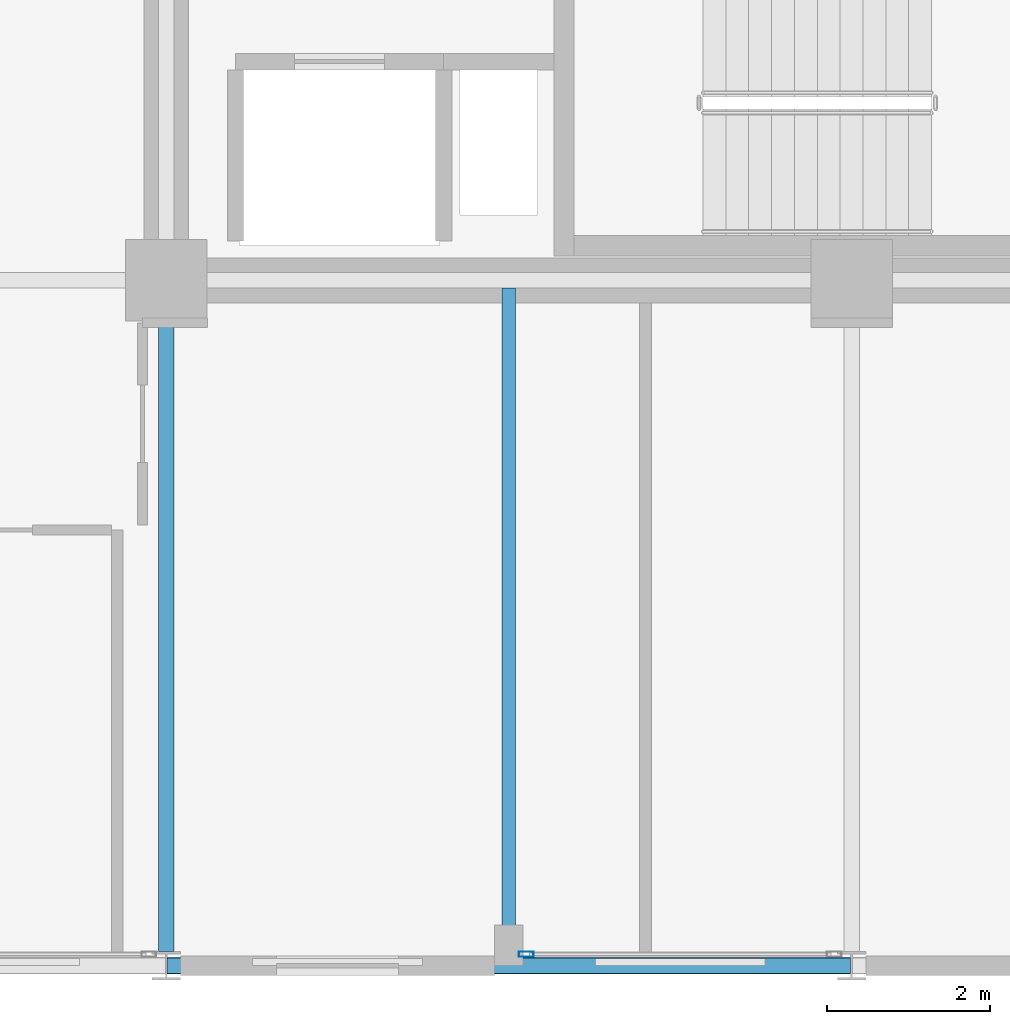
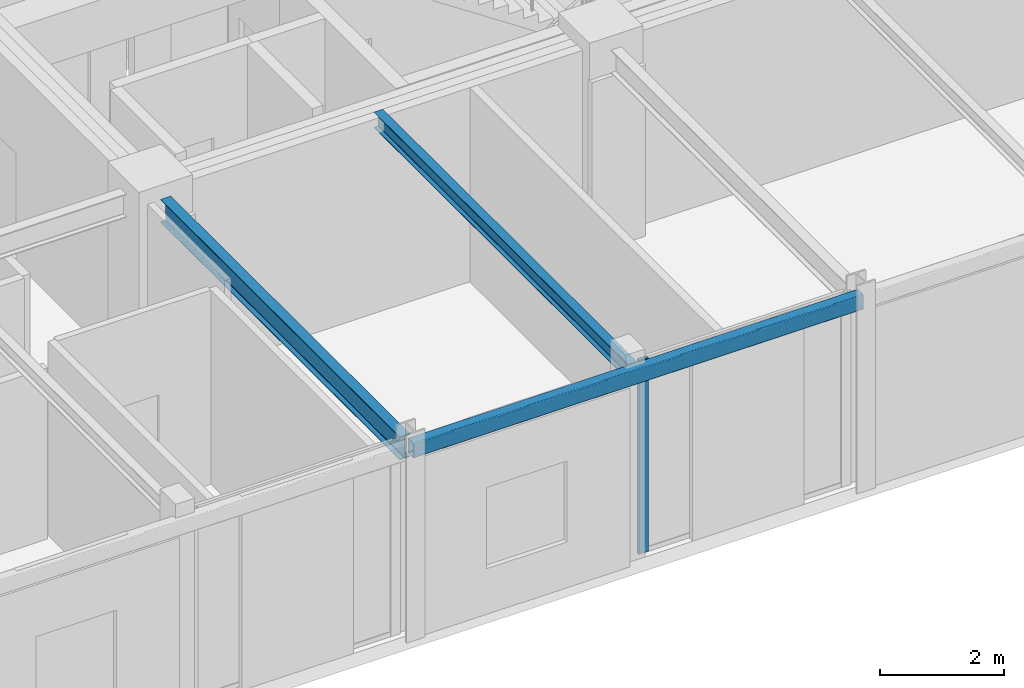
# One storey, part 7 of 29: 3 beams, 1 member, 1 element without a shape of its own.
"""IFC4 building model written with IfcOpenShell, lengths in metres."""

from ifc_helpers import new_model, si_unit, direction, frame, origin, origin_2d, place, context, subcontext, project, spatial, hollow_rectangle, i_section, extrude, material, layer, layer_set, material_profile, profile_set, type_object, element, aggregate, save


model = new_model("IFC4")

# Units and contexts
model_context = context("Model", 3, precision=1e-05, world=origin(), true_north=direction((0.0, 1.0)))
body_context = subcontext(model_context, "Body", "Model", "MODEL_VIEW")
ifc_project = project(units=[si_unit("LENGTHUNIT", "METRE"), si_unit("AREAUNIT", "SQUARE_METRE"), si_unit("VOLUMEUNIT", "CUBIC_METRE"), si_unit("PLANEANGLEUNIT", "RADIAN"), si_unit("MASSUNIT", "GRAM", prefix="KILO")], contexts=[model_context])

# Site, building, storey
site_placement = place(None, origin())
site = spatial("IfcSite", under=ifc_project, at=site_placement, CompositionType="ELEMENT")
building_placement = place(site_placement, origin())
building = spatial("IfcBuilding", under=site, at=building_placement, Name="Nerrivon Quay Data Exchange", CompositionType="ELEMENT")
storey_placement = place(building_placement, frame((0.0, 0.0, 208.300048828125)))
storey = spatial("IfcBuildingStorey", under=building, at=storey_placement, Name="L49", CompositionType="ELEMENT", Elevation=208.300048828125)

# Beams
ifc_material_1 = material(Name="Steel Grade 350", Category="steel")
ifc_material_profile_1 = material_profile(ifc_material_1, i_section(OverallWidth=0.18994140625, OverallDepth=0.4541015625, WebThickness=0.008544921875, FlangeThickness=0.0126953125, FilletRadius=0.011474609375, at=origin_2d()), Name="460UB67.1")
ifc_profile_set_1 = profile_set([ifc_material_profile_1], Name="Steel Grade 350")
beam_type_1 = type_object("IfcBeamType", Name="BM-G6-460UB67", PredefinedType="BEAM", material=ifc_profile_set_1)
beam_1_placement = place(storey_placement, frame((16.800048828125, 0.175048828125, 3.597900390625), z_axis=(0.0, 1.0, 0.0), x_axis=(-1.0, 0.0, 0.0)))
element("IfcBeam", 1, at=beam_1_placement, inside=storey, type_object=beam_type_1, Name="L49 NS Girder X=16.8 (0.0..8.4)", PredefinedType="BEAM", context=body_context, shape_type="SweptSolid", body=[
    extrude(i_section(OverallWidth=0.18994140625, OverallDepth=0.4541015625, WebThickness=0.008544921875, FlangeThickness=0.0126953125, FilletRadius=0.011474609375, at=origin_2d()), origin(), (0.0, 0.0, 1.0), 7.724853515625),
])
ifc_material_profile_2 = material_profile(ifc_material_1, i_section(OverallWidth=0.166015625, OverallDepth=0.306884765625, WebThickness=0.006591796875, FlangeThickness=0.01171875, FilletRadius=0.011474609375, at=origin_2d()), Name="310UB46.2")
ifc_profile_set_2 = profile_set([ifc_material_profile_2], Name="Steel Grade 350")
beam_type_2 = type_object("IfcBeamType", Name="BM-J5-310UB46", PredefinedType="JOIST", material=ifc_profile_set_2)
beam_2_placement = place(storey_placement, frame((21.0, 0.10009765625, 3.67138671875), z_axis=(0.0, 1.0, 0.0), x_axis=(-1.0, 0.0, 0.0)))
element("IfcBeam", 2, at=beam_2_placement, inside=storey, type_object=beam_type_2, Name="L49 Secondary Joist X=21.0 (0.0..8.4)", PredefinedType="JOIST", context=body_context, shape_type="SweptSolid", body=[
    extrude(i_section(OverallWidth=0.166015625, OverallDepth=0.306884765625, WebThickness=0.006591796875, FlangeThickness=0.01171875, FilletRadius=0.011474609375, at=origin_2d()), origin(), (0.0, 0.0, 1.0), 8.204345703125),
])
ifc_material_2 = material(Name="Steel Grade C350L0 (350 MPa)", Category="steel")
ifc_material_profile_3 = material_profile(ifc_material_2, hollow_rectangle(XDim=0.199951171875, YDim=0.300048828125, WallThickness=0.012451171875, InnerFilletRadius=0.018798828125, OuterFilletRadius=0.03125, at=origin_2d()), Name="300x200x12.5RHS")
ifc_profile_set_3 = profile_set([ifc_material_profile_3], Name="Steel Grade C350L0 (350 MPa)")
beam_type_3 = type_object("IfcBeamType", Name="BM-SP3-300x200RHS", PredefinedType="SPANDREL", material=ifc_profile_set_3)
beam_3_placement = place(storey_placement, frame((16.81005859375, 0.0, 3.675048828125), z_axis=(1.0, 0.0, 0.0), x_axis=(0.0, 1.0, 0.0)))
element("IfcBeam", 3, at=beam_3_placement, inside=storey, type_object=beam_type_3, Name="L49 EW Girder Y=0.0 (16.8..25.2)", PredefinedType="SPANDREL", context=body_context, shape_type="SweptSolid", body=[
    extrude(hollow_rectangle(XDim=0.199951171875, YDim=0.300048828125, WallThickness=0.012451171875, InnerFilletRadius=0.018798828125, OuterFilletRadius=0.03125, at=origin_2d()), origin(), (0.0, 0.0, 1.0), 8.3798828125),
])

# Curtain wall, member
ifc_material_3 = material(Name="Anodised aluminium 6063-T6", Category="aluminium")
ifc_layer = layer(ifc_material_3, 0.195068359375)
ifc_layer_set = layer_set([ifc_layer], Name="Anodised aluminium 6063-T6")
curtain_wall_type = type_object("IfcCurtainWallType", Name="CW-SYS-06", PredefinedType="NOTDEFINED", material=ifc_layer_set)
curtain_wall_placement = place(storey_placement, origin())
curtain_wall = element("IfcCurtainWall", 4, at=curtain_wall_placement, inside=storey, type_object=curtain_wall_type, Name="L49 Unitised Curtain Wall 24", PredefinedType="NOTDEFINED")
ifc_material_profile_4 = material_profile(ifc_material_3, hollow_rectangle(XDim=0.06494140625, YDim=0.179931640625, WallThickness=0.00341796875, at=origin_2d()), Name="ALU-MULL-180x65")
ifc_profile_set_4 = profile_set([ifc_material_profile_4], Name="Anodised aluminium 6063-T6")
member_type = type_object("IfcMemberType", Name="CWM-180x65", PredefinedType="MULLION", material=ifc_profile_set_4)
member_placement = place(storey_placement, frame((21.21240234375, 0.139892578125, 0.0), z_axis=(0.0, 0.0, 1.0), x_axis=(0.0, -1.0, 0.0)))
member = element("IfcMember", 5, at=member_placement, type_object=member_type, Name="CW06 mullion 2", PredefinedType="MULLION", context=body_context, shape_type="SweptSolid", body=[
    extrude(hollow_rectangle(XDim=0.06494140625, YDim=0.179931640625, WallThickness=0.00341796875, at=origin_2d()), origin(), (0.0, 0.0, 1.0), 3.824951171875),
])
aggregate(curtain_wall, [member])

save(model, "model.ifc")
